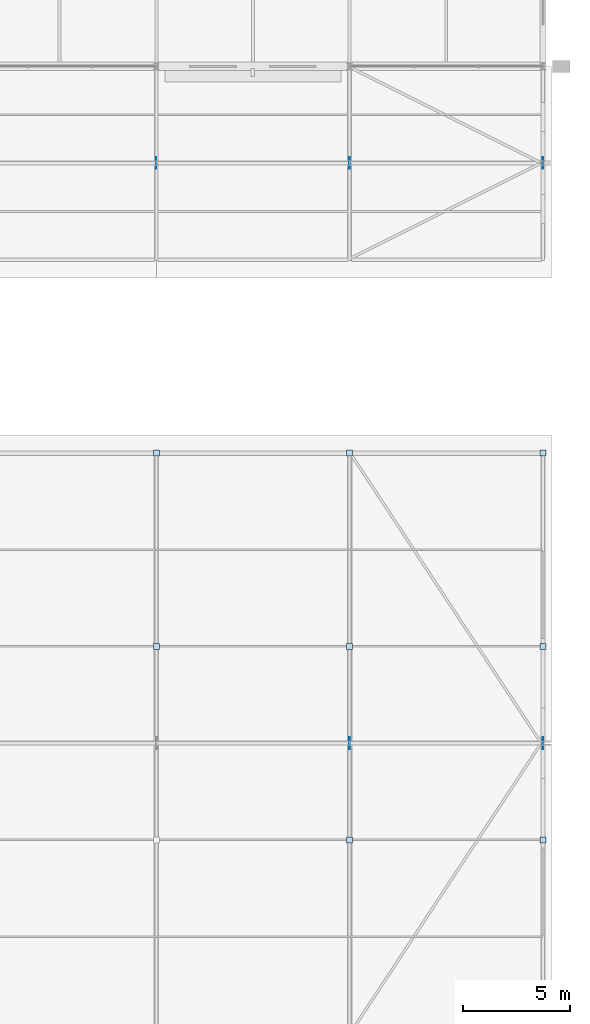
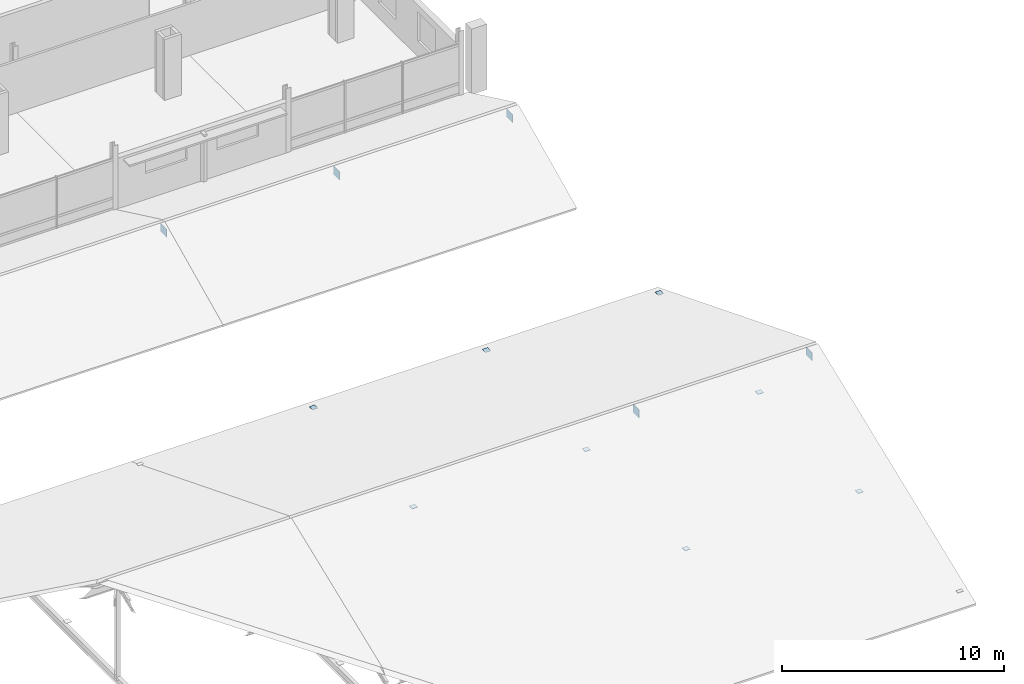
# One storey, part 100 of 132: 13 plates.
"""IFC4 building model written with IfcOpenShell, lengths in metres."""

from ifc_helpers import new_model, si_unit, direction, frame, origin, origin_2d, place, context, subcontext, project, spatial, rectangle, extrude, material, layer, layer_set, type_object, element, save


model = new_model("IFC4")

# Units and contexts
model_context = context("Model", 3, precision=1e-05, world=origin(), true_north=direction((0.0, 1.0)))
body_context = subcontext(model_context, "Body", "Model", "MODEL_VIEW")
ifc_project = project(units=[si_unit("LENGTHUNIT", "METRE"), si_unit("AREAUNIT", "SQUARE_METRE"), si_unit("VOLUMEUNIT", "CUBIC_METRE"), si_unit("PLANEANGLEUNIT", "RADIAN"), si_unit("MASSUNIT", "GRAM", prefix="KILO")], contexts=[model_context])

# Site, building, storey
site_placement = place(None, origin())
site = spatial("IfcSite", under=ifc_project, at=site_placement, CompositionType="ELEMENT")
building_placement = place(site_placement, origin())
building = spatial("IfcBuilding", under=site, at=building_placement, Name="Tharagai Park Tramway Depot", CompositionType="ELEMENT")
storey_placement = place(building_placement, frame((0.0, 0.0, 4.800048828125)))
storey = spatial("IfcBuildingStorey", under=building, at=storey_placement, Name="L01", CompositionType="ELEMENT", Elevation=4.800048828125)

# Plates
ifc_material = material(Name="Steel E350", Category="steel")
ifc_layer_1 = layer(ifc_material, 0.02392578125)
ifc_layer_set_1 = layer_set([ifc_layer_1], Name="Steel E350")
plate_type_1 = type_object("IfcPlateType", Name="GP-01", PredefinedType="SHEET", material=ifc_layer_set_1)
for number, where, z_axis, x_axis, name in (
    (1, (198.0, 72.0, -0.008056640625), (0.0, 0.0, 1.0), (1.0, 0.0, 0.0), "Column Top Cap Plate GP-01 (198,72)"),
    (2, (198.0, 81.0, -0.008056640625), (0.0, 0.0, 1.0), (1.0, 0.0, 0.0), "Column Top Cap Plate GP-01 (198,81)"),
    (3, (207.0, 63.0, -0.008056640625), (0.0, 0.0, 1.0), (1.0, 0.0, 0.0), "Column Top Cap Plate GP-01 (207,63)"),
    (4, (207.0, 72.0, -0.008056640625), (0.0, 0.0, 1.0), (1.0, 0.0, 0.0), "Column Top Cap Plate GP-01 (207,72)"),
    (5, (207.0, 81.0, -0.008056640625), (0.0, 0.0, 1.0), (1.0, 0.0, 0.0), "Column Top Cap Plate GP-01 (207,81)"),
    (6, (216.0, 63.0, -0.008056640625), (0.0, 0.0, 1.0), (1.0, 0.0, 0.0), "Column Top Cap Plate GP-01 (216,63)"),
    (7, (216.0, 72.0, -0.008056640625), (0.0, 0.0, 1.0), (1.0, 0.0, 0.0), "Column Top Cap Plate GP-01 (216,72)"),
    (8, (216.0, 81.0, -0.008056640625), (0.0, 0.0, 1.0), (1.0, 0.0, 0.0), "Column Top Cap Plate GP-01 (216,81)"),
):
    element("IfcPlate", number, at=place(storey_placement, frame(where, z_axis=z_axis, x_axis=x_axis)), inside=storey, type_object=plate_type_1, Name=name, PredefinedType="SHEET", context=body_context, shape_type="SweptSolid", body=[
        extrude(rectangle(XDim=0.280029296875, YDim=0.280029296875, at=origin_2d()), origin(), (0.0, 0.0, 1.0), 0.02392578125),
    ])
ifc_layer_2 = layer(ifc_material, 0.02392578125)
ifc_layer_set_2 = layer_set([ifc_layer_2], Name="Steel E350")
plate_type_2 = type_object("IfcPlateType", Name="GP-02", PredefinedType="SHEET", material=ifc_layer_set_2)
for number, where, z_axis, x_axis, name in (
    (9, (207.0, 94.5, 1.3408203125), (0.0, 0.0, 1.0), (1.0, 0.0, 0.0), "V3A Ridge Gusset Plate GP-02"),
    (10, (216.0, 67.5, 4.615234375), (0.0, 0.0, 1.0), (1.0, 0.0, 0.0), "V6 Ridge Gusset Plate GP-02"),
):
    element("IfcPlate", number, at=place(storey_placement, frame(where, z_axis=z_axis, x_axis=x_axis)), inside=storey, type_object=plate_type_2, Name=name, PredefinedType="SHEET", context=body_context, shape_type="SweptSolid", body=[
        extrude(rectangle(XDim=0.02392578125, YDim=0.550048828125, at=origin_2d()), origin(), (0.0, 0.0, 1.0), 0.449951171875),
    ])
ifc_layer_3 = layer(ifc_material, 0.01611328125)
ifc_layer_set_3 = layer_set([ifc_layer_3], Name="Steel E350")
plate_type_3 = type_object("IfcPlateType", Name="GP-03", PredefinedType="SHEET", material=ifc_layer_set_3)
for number, where, z_axis, x_axis, name in (
    (11, (198.0, 94.5, 1.3408203125), (0.0, 0.0, 1.0), (1.0, 0.0, 0.0), "V3A Ridge Gusset Plate GP-03"),
    (12, (216.0, 94.5, 1.3408203125), (0.0, 0.0, 1.0), (1.0, 0.0, 0.0), "V3A Ridge Gusset Plate GP-03"),
    (13, (207.0, 67.5, 4.615234375), (0.0, 0.0, 1.0), (1.0, 0.0, 0.0), "V6 Ridge Gusset Plate GP-03"),
):
    element("IfcPlate", number, at=place(storey_placement, frame(where, z_axis=z_axis, x_axis=x_axis)), inside=storey, type_object=plate_type_3, Name=name, PredefinedType="SHEET", context=body_context, shape_type="SweptSolid", body=[
        extrude(rectangle(XDim=0.01611328125, YDim=0.550048828125, at=origin_2d()), origin(), (0.0, 0.0, 1.0), 0.449951171875),
    ])

save(model, "model.ifc")
